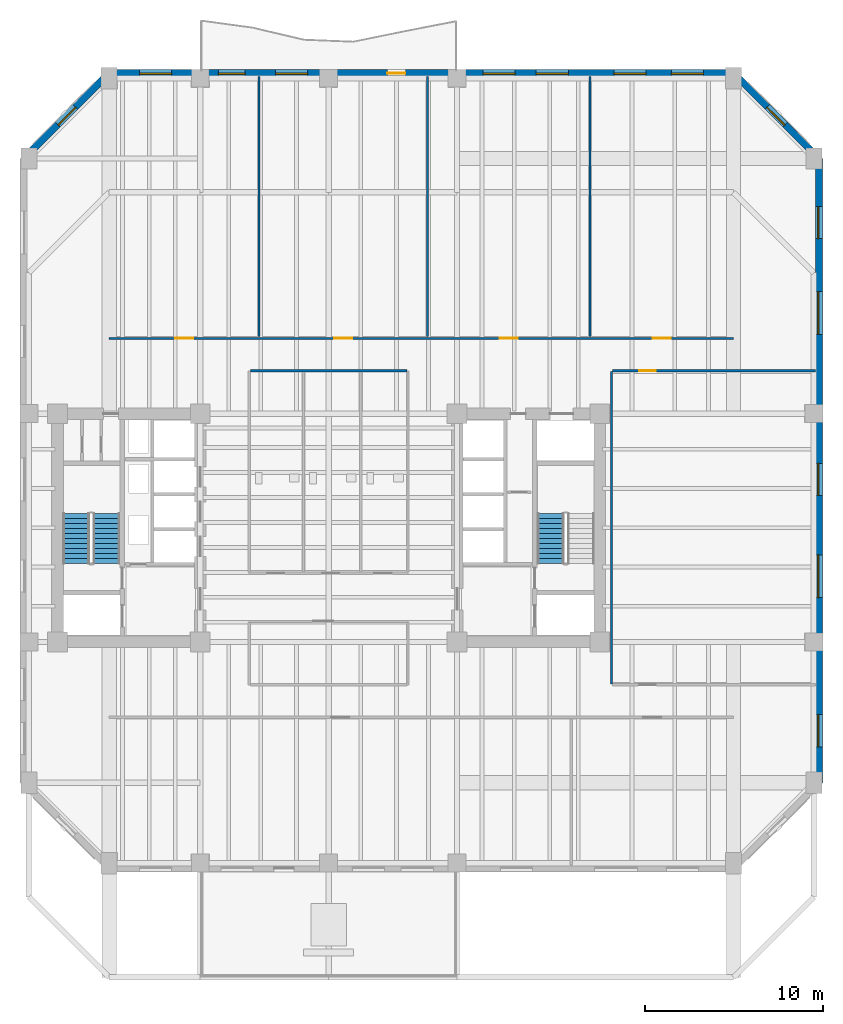
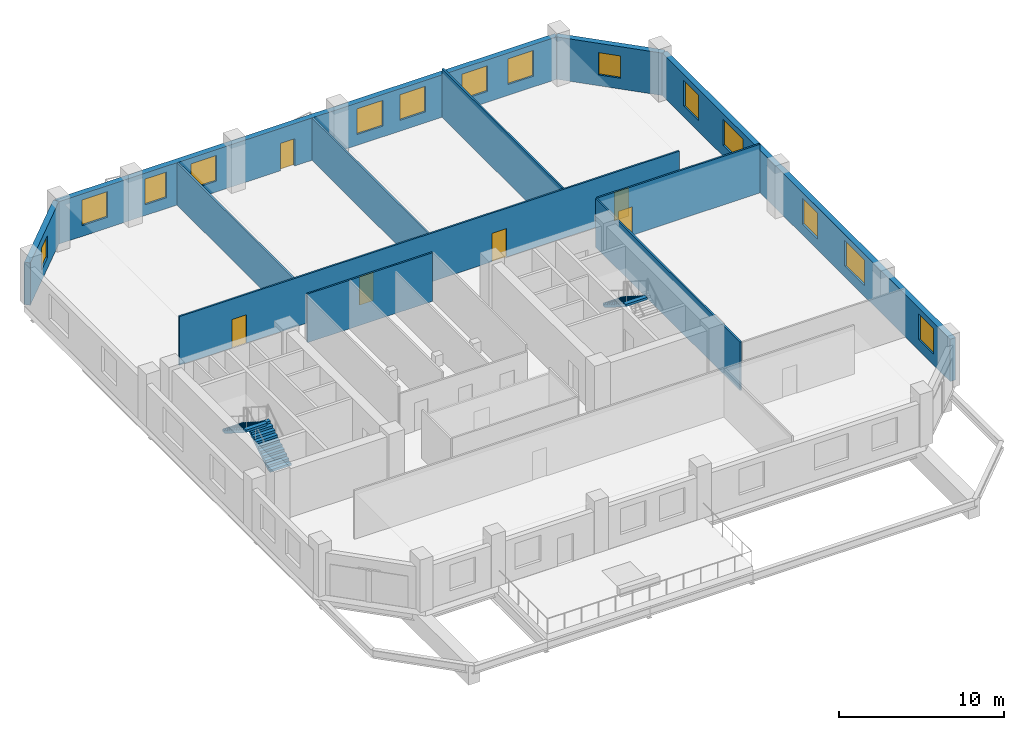
# One storey, part 5 of 10: 14 windows, 11 walls, 6 doors, 3 stair flights, 20 openings, 2 elements without a shape of their own.
"""IFC4 building model written with IfcOpenShell, lengths in metres."""

from ifc_helpers import new_model, si_unit, direction, frame, frame_2d, origin, place, context, subcontext, project, spatial, polyline, rectangle, outline, extrude, material, layer, layer_set, type_object, element, fill, aggregate, save


model = new_model("IFC4")

# Units and contexts
model_context = context("Model", 3, precision=1e-05, world=origin(), true_north=direction((0.0, 1.0)))
body_context = subcontext(model_context, "Body", "Model", "MODEL_VIEW")
ifc_project = project(units=[si_unit("LENGTHUNIT", "METRE"), si_unit("AREAUNIT", "SQUARE_METRE"), si_unit("VOLUMEUNIT", "CUBIC_METRE"), si_unit("PLANEANGLEUNIT", "RADIAN"), si_unit("MASSUNIT", "GRAM", prefix="KILO")], contexts=[model_context])

# Site, building, storey
site_placement = place(None, origin())
site = spatial("IfcSite", under=ifc_project, at=site_placement, CompositionType="ELEMENT")
building_placement = place(site_placement, origin())
building = spatial("IfcBuilding", under=site, at=building_placement, Name="Kranthara Brick Stack", CompositionType="ELEMENT")
storey_placement = place(building_placement, frame((0.0, 0.0, 71.10009765625)))
storey = spatial("IfcBuildingStorey", under=building, at=storey_placement, Name="L17", CompositionType="ELEMENT", Elevation=71.10009765625)

# Wall, opening, window
ifc_material_1 = material(Name="Kiln-fired clay brick masonry M15", Category="masonry")
ifc_layer_1 = layer(ifc_material_1, 0.3798828125)
ifc_layer_set_1 = layer_set([ifc_layer_1], Name="Kiln-fired clay brick masonry M15")
wall_type_1 = type_object("IfcWallType", Name="WL-BRK-PIER-380", PredefinedType="STANDARD", material=ifc_layer_set_1)
wall_1_placement = place(storey_placement, frame((10.909912109375, 47.89990234375, 0.0), z_axis=(0.0, 0.0, 1.0), x_axis=(0.707106781187, 0.707106781187, 0.0)))
wall_1 = element("IfcWall", 1, at=wall_1_placement, inside=storey, type_object=wall_type_1, Name="L17 Exterior Brick Facade Wall NW 1", PredefinedType="STANDARD", context=body_context, shape_type="SweptSolid", body=[
    extrude(rectangle(XDim=6.774169921875, YDim=0.3798828125, at=frame_2d((3.38720703125, 0.0))), origin(), (0.0, 0.0, 1.0), 3.135009765625),
])
opening_1_placement = place(wall_1_placement, frame((2.68701171875, 0.0, 0.800048828125)))
opening_1 = element("IfcOpeningElement", 2, at=opening_1_placement, cuts=wall_1, Name="Opening WN10", PredefinedType="OPENING", context=body_context, shape_type="SweptSolid", body=[
    extrude(rectangle(XDim=1.39990234375, YDim=1.64990234375, at=frame_2d((0.699951171875, 0.824951171875))), frame((0.0, 0.199951171875, 0.0), z_axis=(0.0, -1.0, 0.0), x_axis=(1.0, 0.0, 0.0)), (0.0, 0.0, 1.0), 0.39990234375),
])
ifc_material_2 = material(Name="Double-glazed low-E solar control glass", Category="glass")
window_type_1 = type_object("IfcWindowType", Name="WN-CHM-1400x1750", PartitioningType="SINGLE_PANEL", PredefinedType="WINDOW", material=ifc_material_2)
window_1_placement = place(opening_1_placement, origin())
window_1 = element("IfcWindow", 3, at=window_1_placement, inside=storey, type_object=window_type_1, Name="L17 NW Chamfer Corner Window", OverallHeight=1.64990234375, OverallWidth=1.39990234375, PartitioningType="SINGLE_PANEL", PredefinedType="WINDOW", context=body_context, shape_type="SweptSolid", body=[
    extrude(rectangle(XDim=1.39990234375, YDim=1.64990234375, at=frame_2d((0.699951171875, 0.824951171875))), frame((0.0, -0.010009765625, 0.0), z_axis=(0.0, -1.0, 0.0), x_axis=(1.0, 0.0, 0.0)), (0.0, 0.0, 1.0), 0.06005859375),
])
fill(opening_1, window_1)

# Wall, openings, door, windows
wall_2_placement = place(storey_placement, frame((15.699951171875, 52.68994140625, 0.0), z_axis=(0.0, 0.0, 1.0), x_axis=(1.0, 0.0, 0.0)))
wall_2 = element("IfcWall", 4, at=wall_2_placement, inside=storey, type_object=wall_type_1, Name="L17 Exterior Brick Facade Wall NORTH 1", PredefinedType="STANDARD", context=body_context, shape_type="SweptSolid", body=[
    extrude(rectangle(XDim=35.0, YDim=0.3798828125, at=frame_2d((17.5, 0.0))), origin(), (0.0, 0.0, 1.0), 3.135009765625),
])
opening_2_placement = place(wall_2_placement, frame((15.60009765625, 0.0, 0.0)))
opening_2 = element("IfcOpeningElement", 5, at=opening_2_placement, cuts=wall_2, Name="Opening D03", PredefinedType="OPENING", context=body_context, shape_type="SweptSolid", body=[
    extrude(rectangle(XDim=1.0, YDim=2.02001953125, at=frame_2d((0.5, 1.010009765625))), frame((0.0, 0.199951171875, 0.0), z_axis=(0.0, -1.0, 0.0), x_axis=(1.0, 0.0, 0.0)), (0.0, 0.0, 1.0), 0.39990234375),
])
opening_3_placement = place(wall_2_placement, frame((1.699951171875, 0.0, 0.800048828125)))
opening_3 = element("IfcOpeningElement", 6, at=opening_3_placement, cuts=wall_2, Name="Opening WN01", PredefinedType="OPENING", context=body_context, shape_type="SweptSolid", body=[
    extrude(rectangle(XDim=1.800048828125, YDim=1.89990234375, at=frame_2d((0.89990234375, 0.949951171875))), frame((0.0, 0.199951171875, 0.0), z_axis=(0.0, -1.0, 0.0), x_axis=(1.0, 0.0, 0.0)), (0.0, 0.0, 1.0), 0.39990234375),
])
opening_4_placement = place(wall_2_placement, frame((6.125, 0.0, 0.800048828125)))
opening_4 = element("IfcOpeningElement", 7, at=opening_4_placement, cuts=wall_2, Name="Opening WN03", PredefinedType="OPENING", context=body_context, shape_type="SweptSolid", body=[
    extrude(rectangle(XDim=1.5, YDim=1.89990234375, at=frame_2d((0.75, 0.949951171875))), frame((0.0, 0.199951171875, 0.0), z_axis=(0.0, -1.0, 0.0), x_axis=(1.0, 0.0, 0.0)), (0.0, 0.0, 1.0), 0.39990234375),
])
opening_5_placement = place(wall_2_placement, frame((9.324951171875, 0.0, 0.800048828125)))
opening_5 = element("IfcOpeningElement", 8, at=opening_5_placement, cuts=wall_2, Name="Opening WN01", PredefinedType="OPENING", context=body_context, shape_type="SweptSolid", body=[
    extrude(rectangle(XDim=1.800048828125, YDim=1.89990234375, at=frame_2d((0.89990234375, 0.949951171875))), frame((0.0, 0.199951171875, 0.0), z_axis=(0.0, -1.0, 0.0), x_axis=(1.0, 0.0, 0.0)), (0.0, 0.0, 1.0), 0.39990234375),
])
opening_6_placement = place(wall_2_placement, frame((20.9619140625, 0.0, 0.800048828125)))
opening_6 = element("IfcOpeningElement", 9, at=opening_6_placement, cuts=wall_2, Name="Opening WN01", PredefinedType="OPENING", context=body_context, shape_type="SweptSolid", body=[
    extrude(rectangle(XDim=1.800048828125, YDim=1.89990234375, at=frame_2d((0.89990234375, 0.949951171875))), frame((0.0, 0.199951171875, 0.0), z_axis=(0.0, -1.0, 0.0), x_axis=(1.0, 0.0, 0.0)), (0.0, 0.0, 1.0), 0.39990234375),
])
opening_7_placement = place(wall_2_placement, frame((23.93798828125, 0.0, 0.800048828125)))
opening_7 = element("IfcOpeningElement", 10, at=opening_7_placement, cuts=wall_2, Name="Opening WN01", PredefinedType="OPENING", context=body_context, shape_type="SweptSolid", body=[
    extrude(rectangle(XDim=1.800048828125, YDim=1.89990234375, at=frame_2d((0.89990234375, 0.949951171875))), frame((0.0, 0.199951171875, 0.0), z_axis=(0.0, -1.0, 0.0), x_axis=(1.0, 0.0, 0.0)), (0.0, 0.0, 1.0), 0.39990234375),
])
opening_8_placement = place(wall_2_placement, frame((28.2919921875, 0.0, 0.800048828125)))
opening_8 = element("IfcOpeningElement", 11, at=opening_8_placement, cuts=wall_2, Name="Opening WN01", PredefinedType="OPENING", context=body_context, shape_type="SweptSolid", body=[
    extrude(rectangle(XDim=1.800048828125, YDim=1.89990234375, at=frame_2d((0.89990234375, 0.949951171875))), frame((0.0, 0.199951171875, 0.0), z_axis=(0.0, -1.0, 0.0), x_axis=(1.0, 0.0, 0.0)), (0.0, 0.0, 1.0), 0.39990234375),
])
opening_9_placement = place(wall_2_placement, frame((31.508056640625, 0.0, 0.800048828125)))
opening_9 = element("IfcOpeningElement", 12, at=opening_9_placement, cuts=wall_2, Name="Opening WN01", PredefinedType="OPENING", context=body_context, shape_type="SweptSolid", body=[
    extrude(rectangle(XDim=1.800048828125, YDim=1.89990234375, at=frame_2d((0.89990234375, 0.949951171875))), frame((0.0, 0.199951171875, 0.0), z_axis=(0.0, -1.0, 0.0), x_axis=(1.0, 0.0, 0.0)), (0.0, 0.0, 1.0), 0.39990234375),
])
ifc_material_3 = material(Name="Bronze anodised aluminium and laminated glass", Category="aluminium")
door_type_1 = type_object("IfcDoorType", Name="DR-BALC-1000", OperationType="NOTDEFINED", PredefinedType="DOOR", material=ifc_material_3)
door_1_placement = place(opening_2_placement, origin())
door_1 = element("IfcDoor", 13, at=door_1_placement, inside=storey, type_object=door_type_1, Name="L17 North Balcony Terrace Door", OperationType="SINGLE_SWING_RIGHT", OverallHeight=2.02001953125, OverallWidth=1.0, PredefinedType="DOOR", context=body_context, shape_type="SweptSolid", body=[
    extrude(rectangle(XDim=1.0, YDim=2.02001953125, at=frame_2d((0.5, 1.010009765625))), frame((0.0, 0.02490234375, 0.0), z_axis=(0.0, -1.0, 0.0), x_axis=(1.0, 0.0, 0.0)), (0.0, 0.0, 1.0), 0.050048828125),
])
fill(opening_2, door_1)
ifc_material_4 = material(Name="Double-glazed low-E solar control glass", Category="glass")
window_type_2 = type_object("IfcWindowType", Name="WN-OFF-1500x2000", PartitioningType="SINGLE_PANEL", PredefinedType="WINDOW", material=ifc_material_4)
window_2_placement = place(opening_4_placement, origin())
window_2 = element("IfcWindow", 14, at=window_2_placement, inside=storey, type_object=window_type_2, Name="L17 North Deep-Set Brick Window 02", OverallHeight=1.89990234375, OverallWidth=1.5, PartitioningType="SINGLE_PANEL", PredefinedType="WINDOW", context=body_context, shape_type="SweptSolid", body=[
    extrude(rectangle(XDim=1.5, YDim=1.89990234375, at=frame_2d((0.75, 0.949951171875))), frame((0.0, -0.010009765625, 0.0), z_axis=(0.0, -1.0, 0.0), x_axis=(1.0, 0.0, 0.0)), (0.0, 0.0, 1.0), 0.06005859375),
])
fill(opening_4, window_2)
ifc_material_5 = material(Name="Double-glazed low-E solar control glass", Category="glass")
window_type_3 = type_object("IfcWindowType", Name="WN-OFF-1800x2000", PartitioningType="SINGLE_PANEL", PredefinedType="WINDOW", material=ifc_material_5)
window_3_placement = place(opening_3_placement, origin())
window_3 = element("IfcWindow", 15, at=window_3_placement, inside=storey, type_object=window_type_3, Name="L17 North Deep-Set Brick Window 01", OverallHeight=1.89990234375, OverallWidth=1.800048828125, PartitioningType="SINGLE_PANEL", PredefinedType="WINDOW", context=body_context, shape_type="SweptSolid", body=[
    extrude(rectangle(XDim=1.800048828125, YDim=1.89990234375, at=frame_2d((0.89990234375, 0.949951171875))), frame((0.0, -0.010009765625, 0.0), z_axis=(0.0, -1.0, 0.0), x_axis=(1.0, 0.0, 0.0)), (0.0, 0.0, 1.0), 0.06005859375),
])
fill(opening_3, window_3)
window_4_placement = place(opening_5_placement, origin())
window_4 = element("IfcWindow", 16, at=window_4_placement, inside=storey, type_object=window_type_3, Name="L17 North Deep-Set Brick Window 03", OverallHeight=1.89990234375, OverallWidth=1.800048828125, PartitioningType="SINGLE_PANEL", PredefinedType="WINDOW", context=body_context, shape_type="SweptSolid", body=[
    extrude(rectangle(XDim=1.800048828125, YDim=1.89990234375, at=frame_2d((0.89990234375, 0.949951171875))), frame((0.0, -0.010009765625, 0.0), z_axis=(0.0, -1.0, 0.0), x_axis=(1.0, 0.0, 0.0)), (0.0, 0.0, 1.0), 0.06005859375),
])
fill(opening_5, window_4)
window_5_placement = place(opening_6_placement, origin())
window_5 = element("IfcWindow", 17, at=window_5_placement, inside=storey, type_object=window_type_3, Name="L17 North Deep-Set Brick Window 04", OverallHeight=1.89990234375, OverallWidth=1.800048828125, PartitioningType="SINGLE_PANEL", PredefinedType="WINDOW", context=body_context, shape_type="SweptSolid", body=[
    extrude(rectangle(XDim=1.800048828125, YDim=1.89990234375, at=frame_2d((0.89990234375, 0.949951171875))), frame((0.0, -0.010009765625, 0.0), z_axis=(0.0, -1.0, 0.0), x_axis=(1.0, 0.0, 0.0)), (0.0, 0.0, 1.0), 0.06005859375),
])
fill(opening_6, window_5)
window_6_placement = place(opening_7_placement, origin())
window_6 = element("IfcWindow", 18, at=window_6_placement, inside=storey, type_object=window_type_3, Name="L17 North Deep-Set Brick Window 05", OverallHeight=1.89990234375, OverallWidth=1.800048828125, PartitioningType="SINGLE_PANEL", PredefinedType="WINDOW", context=body_context, shape_type="SweptSolid", body=[
    extrude(rectangle(XDim=1.800048828125, YDim=1.89990234375, at=frame_2d((0.89990234375, 0.949951171875))), frame((0.0, -0.010009765625, 0.0), z_axis=(0.0, -1.0, 0.0), x_axis=(1.0, 0.0, 0.0)), (0.0, 0.0, 1.0), 0.06005859375),
])
fill(opening_7, window_6)
window_7_placement = place(opening_8_placement, origin())
window_7 = element("IfcWindow", 19, at=window_7_placement, inside=storey, type_object=window_type_3, Name="L17 North Deep-Set Brick Window 06", OverallHeight=1.89990234375, OverallWidth=1.800048828125, PartitioningType="SINGLE_PANEL", PredefinedType="WINDOW", context=body_context, shape_type="SweptSolid", body=[
    extrude(rectangle(XDim=1.800048828125, YDim=1.89990234375, at=frame_2d((0.89990234375, 0.949951171875))), frame((0.0, -0.010009765625, 0.0), z_axis=(0.0, -1.0, 0.0), x_axis=(1.0, 0.0, 0.0)), (0.0, 0.0, 1.0), 0.06005859375),
])
fill(opening_8, window_7)
window_8_placement = place(opening_9_placement, origin())
window_8 = element("IfcWindow", 20, at=window_8_placement, inside=storey, type_object=window_type_3, Name="L17 North Deep-Set Brick Window 07", OverallHeight=1.89990234375, OverallWidth=1.800048828125, PartitioningType="SINGLE_PANEL", PredefinedType="WINDOW", context=body_context, shape_type="SweptSolid", body=[
    extrude(rectangle(XDim=1.800048828125, YDim=1.89990234375, at=frame_2d((0.89990234375, 0.949951171875))), frame((0.0, -0.010009765625, 0.0), z_axis=(0.0, -1.0, 0.0), x_axis=(1.0, 0.0, 0.0)), (0.0, 0.0, 1.0), 0.06005859375),
])
fill(opening_9, window_8)

# Wall, opening, window
wall_3_placement = place(storey_placement, frame((50.699951171875, 52.68994140625, 0.0), z_axis=(0.0, 0.0, 1.0), x_axis=(0.707106781187, -0.707106781187, 0.0)))
wall_3 = element("IfcWall", 21, at=wall_3_placement, inside=storey, type_object=wall_type_1, Name="L17 Exterior Brick Facade Wall NE 1", PredefinedType="STANDARD", context=body_context, shape_type="SweptSolid", body=[
    extrude(rectangle(XDim=6.774169921875, YDim=0.3798828125, at=frame_2d((3.38720703125, 0.0))), origin(), (0.0, 0.0, 1.0), 3.135009765625),
])
opening_10_placement = place(wall_3_placement, frame((2.68701171875, 0.0, 0.800048828125)))
opening_10 = element("IfcOpeningElement", 22, at=opening_10_placement, cuts=wall_3, Name="Opening WN10", PredefinedType="OPENING", context=body_context, shape_type="SweptSolid", body=[
    extrude(rectangle(XDim=1.39990234375, YDim=1.64990234375, at=frame_2d((0.699951171875, 0.824951171875))), frame((0.0, 0.199951171875, 0.0), z_axis=(0.0, -1.0, 0.0), x_axis=(1.0, 0.0, 0.0)), (0.0, 0.0, 1.0), 0.39990234375),
])
window_9_placement = place(opening_10_placement, origin())
window_9 = element("IfcWindow", 23, at=window_9_placement, inside=storey, type_object=window_type_1, Name="L17 NE Chamfer Corner Window", OverallHeight=1.64990234375, OverallWidth=1.39990234375, PartitioningType="SINGLE_PANEL", PredefinedType="WINDOW", context=body_context, shape_type="SweptSolid", body=[
    extrude(rectangle(XDim=1.39990234375, YDim=1.64990234375, at=frame_2d((0.699951171875, 0.824951171875))), frame((0.0, -0.010009765625, 0.0), z_axis=(0.0, -1.0, 0.0), x_axis=(1.0, 0.0, 0.0)), (0.0, 0.0, 1.0), 0.06005859375),
])
fill(opening_10, window_9)

# Wall, openings, windows
wall_4_placement = place(storey_placement, frame((55.489990234375, 47.89990234375, 0.0), z_axis=(0.0, 0.0, 1.0), x_axis=(0.0, -1.0, 0.0)))
wall_4 = element("IfcWall", 24, at=wall_4_placement, inside=storey, type_object=wall_type_1, Name="L17 Exterior Brick Facade Wall EAST 1", PredefinedType="STANDARD", context=body_context, shape_type="SweptSolid", body=[
    extrude(rectangle(XDim=35.0, YDim=0.3798828125, at=frame_2d((17.5, 0.0))), origin(), (0.0, 0.0, 1.0), 3.135009765625),
])
opening_11_placement = place(wall_4_placement, frame((2.693115234375, 0.0, 0.800048828125)))
opening_11 = element("IfcOpeningElement", 25, at=opening_11_placement, cuts=wall_4, Name="Opening WN01", PredefinedType="OPENING", context=body_context, shape_type="SweptSolid", body=[
    extrude(rectangle(XDim=1.800048828125, YDim=1.89990234375, at=frame_2d((0.89990234375, 0.949951171875))), frame((0.0, 0.199951171875, 0.0), z_axis=(0.0, -1.0, 0.0), x_axis=(1.0, 0.0, 0.0)), (0.0, 0.0, 1.0), 0.39990234375),
])
opening_12_placement = place(wall_4_placement, frame((7.45703125, 0.0, 0.800048828125)))
opening_12 = element("IfcOpeningElement", 26, at=opening_12_placement, cuts=wall_4, Name="Opening WN02", PredefinedType="OPENING", context=body_context, shape_type="SweptSolid", body=[
    extrude(rectangle(XDim=2.39990234375, YDim=1.89990234375, at=frame_2d((1.199951171875, 0.949951171875))), frame((0.0, 0.199951171875, 0.0), z_axis=(0.0, -1.0, 0.0), x_axis=(1.0, 0.0, 0.0)), (0.0, 0.0, 1.0), 0.39990234375),
])
opening_13_placement = place(wall_4_placement, frame((17.087890625, 0.0, 0.800048828125)))
opening_13 = element("IfcOpeningElement", 27, at=opening_13_placement, cuts=wall_4, Name="Opening WN01", PredefinedType="OPENING", context=body_context, shape_type="SweptSolid", body=[
    extrude(rectangle(XDim=1.800048828125, YDim=1.89990234375, at=frame_2d((0.89990234375, 0.949951171875))), frame((0.0, 0.199951171875, 0.0), z_axis=(0.0, -1.0, 0.0), x_axis=(1.0, 0.0, 0.0)), (0.0, 0.0, 1.0), 0.39990234375),
])
opening_14_placement = place(wall_4_placement, frame((22.2119140625, 0.0, 0.800048828125)))
opening_14 = element("IfcOpeningElement", 28, at=opening_14_placement, cuts=wall_4, Name="Opening WN02", PredefinedType="OPENING", context=body_context, shape_type="SweptSolid", body=[
    extrude(rectangle(XDim=2.39990234375, YDim=1.89990234375, at=frame_2d((1.199951171875, 0.949951171875))), frame((0.0, 0.199951171875, 0.0), z_axis=(0.0, -1.0, 0.0), x_axis=(1.0, 0.0, 0.0)), (0.0, 0.0, 1.0), 0.39990234375),
])
opening_15_placement = place(wall_4_placement, frame((31.175048828125, 0.0, 0.800048828125)))
opening_15 = element("IfcOpeningElement", 29, at=opening_15_placement, cuts=wall_4, Name="Opening WN01", PredefinedType="OPENING", context=body_context, shape_type="SweptSolid", body=[
    extrude(rectangle(XDim=1.800048828125, YDim=1.89990234375, at=frame_2d((0.89990234375, 0.949951171875))), frame((0.0, 0.199951171875, 0.0), z_axis=(0.0, -1.0, 0.0), x_axis=(1.0, 0.0, 0.0)), (0.0, 0.0, 1.0), 0.39990234375),
])
window_10_placement = place(opening_11_placement, origin())
window_10 = element("IfcWindow", 30, at=window_10_placement, inside=storey, type_object=window_type_3, Name="L17 East Deep-Set Brick Window 01", OverallHeight=1.89990234375, OverallWidth=1.800048828125, PartitioningType="SINGLE_PANEL", PredefinedType="WINDOW", context=body_context, shape_type="SweptSolid", body=[
    extrude(rectangle(XDim=1.800048828125, YDim=1.89990234375, at=frame_2d((0.89990234375, 0.949951171875))), frame((0.0, -0.010009765625, 0.0), z_axis=(0.0, -1.0, 0.0), x_axis=(1.0, 0.0, 0.0)), (0.0, 0.0, 1.0), 0.06005859375),
])
fill(opening_11, window_10)
window_11_placement = place(opening_13_placement, origin())
window_11 = element("IfcWindow", 31, at=window_11_placement, inside=storey, type_object=window_type_3, Name="L17 East Deep-Set Brick Window 03", OverallHeight=1.89990234375, OverallWidth=1.800048828125, PartitioningType="SINGLE_PANEL", PredefinedType="WINDOW", context=body_context, shape_type="SweptSolid", body=[
    extrude(rectangle(XDim=1.800048828125, YDim=1.89990234375, at=frame_2d((0.89990234375, 0.949951171875))), frame((0.0, -0.010009765625, 0.0), z_axis=(0.0, -1.0, 0.0), x_axis=(1.0, 0.0, 0.0)), (0.0, 0.0, 1.0), 0.06005859375),
])
fill(opening_13, window_11)
window_12_placement = place(opening_15_placement, origin())
window_12 = element("IfcWindow", 32, at=window_12_placement, inside=storey, type_object=window_type_3, Name="L17 East Deep-Set Brick Window 05", OverallHeight=1.89990234375, OverallWidth=1.800048828125, PartitioningType="SINGLE_PANEL", PredefinedType="WINDOW", context=body_context, shape_type="SweptSolid", body=[
    extrude(rectangle(XDim=1.800048828125, YDim=1.89990234375, at=frame_2d((0.89990234375, 0.949951171875))), frame((0.0, -0.010009765625, 0.0), z_axis=(0.0, -1.0, 0.0), x_axis=(1.0, 0.0, 0.0)), (0.0, 0.0, 1.0), 0.06005859375),
])
fill(opening_15, window_12)
ifc_material_6 = material(Name="Double-glazed low-E solar control glass", Category="glass")
window_type_4 = type_object("IfcWindowType", Name="WN-OFF-2400x2000", PartitioningType="DOUBLE_PANEL_VERTICAL", PredefinedType="WINDOW", material=ifc_material_6)
window_13_placement = place(opening_12_placement, origin())
window_13 = element("IfcWindow", 33, at=window_13_placement, inside=storey, type_object=window_type_4, Name="L17 East Deep-Set Brick Window 02", OverallHeight=1.89990234375, OverallWidth=2.39990234375, PartitioningType="SINGLE_PANEL", PredefinedType="WINDOW", context=body_context, shape_type="SweptSolid", body=[
    extrude(rectangle(XDim=2.39990234375, YDim=1.89990234375, at=frame_2d((1.199951171875, 0.949951171875))), frame((0.0, -0.010009765625, 0.0), z_axis=(0.0, -1.0, 0.0), x_axis=(1.0, 0.0, 0.0)), (0.0, 0.0, 1.0), 0.06005859375),
])
fill(opening_12, window_13)
window_14_placement = place(opening_14_placement, origin())
window_14 = element("IfcWindow", 34, at=window_14_placement, inside=storey, type_object=window_type_4, Name="L17 East Deep-Set Brick Window 04", OverallHeight=1.89990234375, OverallWidth=2.39990234375, PartitioningType="SINGLE_PANEL", PredefinedType="WINDOW", context=body_context, shape_type="SweptSolid", body=[
    extrude(rectangle(XDim=2.39990234375, YDim=1.89990234375, at=frame_2d((1.199951171875, 0.949951171875))), frame((0.0, -0.010009765625, 0.0), z_axis=(0.0, -1.0, 0.0), x_axis=(1.0, 0.0, 0.0)), (0.0, 0.0, 1.0), 0.06005859375),
])
fill(opening_14, window_14)

# Wall
ifc_material_7 = material(Name="Acoustic gypsum plasterboard partition", Category="other")
ifc_layer_2 = layer(ifc_material_7, 0.1201171875)
ifc_layer_set_2 = layer_set([ifc_layer_2], Name="Acoustic gypsum plasterboard partition")
wall_type_2 = type_object("IfcWallType", Name="WL-PART-120", PredefinedType="PARTITIONING", material=ifc_layer_set_2)
wall_5_placement = place(storey_placement, frame((23.614990234375, 36.0, 0.0), z_axis=(0.0, 0.0, 1.0), x_axis=(1.0, 0.0, 0.0)))
element("IfcWall", 35, at=wall_5_placement, inside=storey, type_object=wall_type_2, Name="L17 Interior Partition 009", PredefinedType="PARTITIONING", context=body_context, shape_type="SweptSolid", body=[
    extrude(rectangle(XDim=8.77001953125, YDim=0.1201171875, at=frame_2d((4.385009765625, 0.0))), origin(), (0.0, 0.0, 1.0), 3.599853515625),
])

# Wall, openings, doors
wall_6_placement = place(storey_placement, frame((15.699951171875, 37.820068359375, 0.0), z_axis=(0.0, 0.0, 1.0), x_axis=(1.0, 0.0, 0.0)))
wall_6 = element("IfcWall", 36, at=wall_6_placement, inside=storey, type_object=wall_type_2, Name="L17 Interior Partition 016", PredefinedType="PARTITIONING", context=body_context, shape_type="SweptSolid", body=[
    extrude(rectangle(XDim=35.0, YDim=0.1201171875, at=frame_2d((17.5, 0.0))), origin(), (0.0, 0.0, 1.0), 3.599853515625),
])
opening_16_placement = place(wall_6_placement, frame((3.699951171875, 0.0, 0.0)))
opening_16 = element("IfcOpeningElement", 37, at=opening_16_placement, cuts=wall_6, Name="Opening D13", PredefinedType="OPENING", context=body_context, shape_type="SweptSolid", body=[
    extrude(rectangle(XDim=1.0, YDim=2.10009765625, at=frame_2d((0.5, 1.050048828125))), frame((0.0, 0.070068359375, 0.0), z_axis=(0.0, -1.0, 0.0), x_axis=(1.0, 0.0, 0.0)), (0.0, 0.0, 1.0), 0.14013671875),
])
opening_17_placement = place(wall_6_placement, frame((12.625, 0.0, 0.0)))
opening_17 = element("IfcOpeningElement", 38, at=opening_17_placement, cuts=wall_6, Name="Opening D13", PredefinedType="OPENING", context=body_context, shape_type="SweptSolid", body=[
    extrude(rectangle(XDim=1.0, YDim=2.10009765625, at=frame_2d((0.5, 1.050048828125))), frame((0.0, 0.070068359375, 0.0), z_axis=(0.0, -1.0, 0.0), x_axis=(1.0, 0.0, 0.0)), (0.0, 0.0, 1.0), 0.14013671875),
])
opening_18_placement = place(wall_6_placement, frame((21.89990234375, 0.0, 0.0)))
opening_18 = element("IfcOpeningElement", 39, at=opening_18_placement, cuts=wall_6, Name="Opening D13", PredefinedType="OPENING", context=body_context, shape_type="SweptSolid", body=[
    extrude(rectangle(XDim=1.0, YDim=2.10009765625, at=frame_2d((0.5, 1.050048828125))), frame((0.0, 0.070068359375, 0.0), z_axis=(0.0, -1.0, 0.0), x_axis=(1.0, 0.0, 0.0)), (0.0, 0.0, 1.0), 0.14013671875),
])
opening_19_placement = place(wall_6_placement, frame((30.47509765625, 0.0, 0.0)))
opening_19 = element("IfcOpeningElement", 40, at=opening_19_placement, cuts=wall_6, Name="Opening D13", PredefinedType="OPENING", context=body_context, shape_type="SweptSolid", body=[
    extrude(rectangle(XDim=1.0, YDim=2.10009765625, at=frame_2d((0.5, 1.050048828125))), frame((0.0, 0.070068359375, 0.0), z_axis=(0.0, -1.0, 0.0), x_axis=(1.0, 0.0, 0.0)), (0.0, 0.0, 1.0), 0.14013671875),
])
ifc_material_8 = material(Name="Solid-core hardwood timber leaf in steel frame", Category="steel")
door_type_2 = type_object("IfcDoorType", Name="DR-INT-1000", OperationType="NOTDEFINED", PredefinedType="DOOR", material=ifc_material_8)
door_2_placement = place(opening_16_placement, origin())
door_2 = element("IfcDoor", 41, at=door_2_placement, inside=storey, type_object=door_type_2, Name="L17 Executive Cellular Office 10", OperationType="SINGLE_SWING_RIGHT", OverallHeight=2.10009765625, OverallWidth=1.0, PredefinedType="DOOR", context=body_context, shape_type="SweptSolid", body=[
    extrude(rectangle(XDim=1.0, YDim=2.10009765625, at=frame_2d((0.5, 1.050048828125))), frame((0.0, 0.02490234375, 0.0), z_axis=(0.0, -1.0, 0.0), x_axis=(1.0, 0.0, 0.0)), (0.0, 0.0, 1.0), 0.050048828125),
])
fill(opening_16, door_2)
door_3_placement = place(opening_17_placement, origin())
door_3 = element("IfcDoor", 42, at=door_3_placement, inside=storey, type_object=door_type_2, Name="L17 Meeting Room 11", OperationType="SINGLE_SWING_LEFT", OverallHeight=2.10009765625, OverallWidth=1.0, PredefinedType="DOOR", context=body_context, shape_type="SweptSolid", body=[
    extrude(rectangle(XDim=1.0, YDim=2.10009765625, at=frame_2d((0.5, 1.050048828125))), frame((0.0, 0.02490234375, 0.0), z_axis=(0.0, -1.0, 0.0), x_axis=(1.0, 0.0, 0.0)), (0.0, 0.0, 1.0), 0.050048828125),
])
fill(opening_17, door_3)
door_4_placement = place(opening_18_placement, origin())
door_4 = element("IfcDoor", 43, at=door_4_placement, inside=storey, type_object=door_type_2, Name="L17 Boardroom 12", OperationType="SINGLE_SWING_RIGHT", OverallHeight=2.10009765625, OverallWidth=1.0, PredefinedType="DOOR", context=body_context, shape_type="SweptSolid", body=[
    extrude(rectangle(XDim=1.0, YDim=2.10009765625, at=frame_2d((0.5, 1.050048828125))), frame((0.0, 0.02490234375, 0.0), z_axis=(0.0, -1.0, 0.0), x_axis=(1.0, 0.0, 0.0)), (0.0, 0.0, 1.0), 0.050048828125),
])
fill(opening_18, door_4)
door_5_placement = place(opening_19_placement, origin())
door_5 = element("IfcDoor", 44, at=door_5_placement, inside=storey, type_object=door_type_2, Name="L17 Collaboration Lounge 13", OperationType="SINGLE_SWING_LEFT", OverallHeight=2.10009765625, OverallWidth=1.0, PredefinedType="DOOR", context=body_context, shape_type="SweptSolid", body=[
    extrude(rectangle(XDim=1.0, YDim=2.10009765625, at=frame_2d((0.5, 1.050048828125))), frame((0.0, 0.02490234375, 0.0), z_axis=(0.0, -1.0, 0.0), x_axis=(1.0, 0.0, 0.0)), (0.0, 0.0, 1.0), 0.050048828125),
])
fill(opening_19, door_5)

# Walls
for number, where, z_axis, x_axis, name in (
    (45, (24.10009765625, 37.919921875, 0.0), (0.0, 0.0, 1.0), (0.0, 1.0, 0.0), "L17 Interior Partition 017"),
    (46, (33.550048828125, 37.919921875, 0.0), (0.0, 0.0, 1.0), (0.0, 1.0, 0.0), "L17 Interior Partition 018"),
):
    element("IfcWall", number, at=place(storey_placement, frame(where, z_axis=z_axis, x_axis=x_axis)), inside=storey, type_object=wall_type_2, Name=name, PredefinedType="PARTITIONING", context=body_context, shape_type="SweptSolid", body=[
        extrude(rectangle(XDim=14.5751953125, YDim=0.1201171875, at=frame_2d((7.28759765625, 0.0))), origin(), (0.0, 0.0, 1.0), 3.135009765625),
    ])
wall_7_placement = place(storey_placement, frame((42.64990234375, 37.919921875, 0.0), z_axis=(0.0, 0.0, 1.0), x_axis=(0.0, 1.0, 0.0)))
element("IfcWall", 47, at=wall_7_placement, inside=storey, type_object=wall_type_2, Name="L17 Interior Partition 019", PredefinedType="PARTITIONING", context=body_context, shape_type="SweptSolid", body=[
    extrude(rectangle(XDim=14.5751953125, YDim=0.1201171875, at=frame_2d((7.28759765625, 0.0))), origin(), (0.0, 0.0, 1.0), 3.599853515625),
])
wall_8_placement = place(storey_placement, frame((43.85009765625, 18.449951171875, 0.0), z_axis=(0.0, 0.0, 1.0), x_axis=(0.0, 1.0, 0.0)))
element("IfcWall", 48, at=wall_8_placement, inside=storey, type_object=wall_type_2, Name="L17 Interior Partition 020", PredefinedType="PARTITIONING", context=body_context, shape_type="SweptSolid", body=[
    extrude(rectangle(XDim=17.5, YDim=0.1201171875, at=frame_2d((8.75, 0.0))), origin(), (0.0, 0.0, 1.0), 3.599853515625),
])

# Wall, opening, door
wall_9_placement = place(storey_placement, frame((43.9150390625, 36.0, 0.0), z_axis=(0.0, 0.0, 1.0), x_axis=(1.0, 0.0, 0.0)))
wall_9 = element("IfcWall", 49, at=wall_9_placement, inside=storey, type_object=wall_type_2, Name="L17 Interior Partition 022", PredefinedType="PARTITIONING", context=body_context, shape_type="SweptSolid", body=[
    extrude(rectangle(XDim=11.3798828125, YDim=0.1201171875, at=frame_2d((5.68994140625, 0.0))), origin(), (0.0, 0.0, 1.0), 3.599853515625),
])
opening_20_placement = place(wall_9_placement, frame((1.485107421875, 0.0, 0.0)))
opening_20 = element("IfcOpeningElement", 50, at=opening_20_placement, cuts=wall_9, Name="Opening D14", PredefinedType="OPENING", context=body_context, shape_type="SweptSolid", body=[
    extrude(rectangle(XDim=0.949951171875, YDim=2.10009765625, at=frame_2d((0.47509765625, 1.050048828125))), frame((0.0, 0.070068359375, 0.0), z_axis=(0.0, -1.0, 0.0), x_axis=(1.0, 0.0, 0.0)), (0.0, 0.0, 1.0), 0.14013671875),
])
ifc_material_9 = material(Name="Solid-core hardwood timber leaf in steel frame", Category="steel")
door_type_3 = type_object("IfcDoorType", Name="DR-INT-950", OperationType="NOTDEFINED", PredefinedType="DOOR", material=ifc_material_9)
door_6_placement = place(opening_20_placement, origin())
door_6 = element("IfcDoor", 51, at=door_6_placement, inside=storey, type_object=door_type_3, Name="L17 East North Office 15", OperationType="SINGLE_SWING_LEFT", OverallHeight=2.10009765625, OverallWidth=0.949951171875, PredefinedType="DOOR", context=body_context, shape_type="SweptSolid", body=[
    extrude(rectangle(XDim=0.949951171875, YDim=2.10009765625, at=frame_2d((0.47509765625, 1.050048828125))), frame((0.0, 0.02490234375, 0.0), z_axis=(0.0, -1.0, 0.0), x_axis=(1.0, 0.0, 0.0)), (0.0, 0.0, 1.0), 0.050048828125),
])
fill(opening_20, door_6)

# Stair, stair flights
ifc_material_10 = material(Name="Concrete C45/55", Category="concrete")
stair_type = type_object("IfcStairType", Name="ST-CORE-22R", PredefinedType="HALF_TURN_STAIR", material=ifc_material_10)
stair_1_placement = place(storey_placement, origin())
stair_1 = element("IfcStair", 52, at=stair_1_placement, inside=storey, type_object=stair_type, Name="L17 West Core Protected Exit Stair ST01", PredefinedType="HALF_TURN_STAIR")
ifc_material_11 = material(Name="Concrete C45/55", Category="concrete")
stair_flight_type = type_object("IfcStairFlightType", Name="SFL-RC-22R", PredefinedType="STRAIGHT", material=ifc_material_11)
stair_flight_1_placement = place(storey_placement, frame((15.550048828125, 25.199951171875, 0.0), z_axis=(0.0, 0.0, 1.0), x_axis=(0.0, 1.0, 0.0)))
stair_flight_1 = element("IfcStairFlight", 53, at=stair_flight_1_placement, type_object=stair_flight_type, Name="ST01 flight 1", NumberOfRisers=11, NumberOfTreads=10, PredefinedType="STRAIGHT", RiserHeight=0.177272727, TreadLength=0.28, context=body_context, shape_type="SweptSolid", body=[
    extrude(outline(polyline([(0.0, 0.0), (0.0, 0.17724609375), (0.280029296875, 0.17724609375), (0.280029296875, 0.3544921875), (0.56005859375, 0.3544921875), (0.56005859375, 0.53173828125), (0.840087890625, 0.53173828125), (0.840087890625, 0.708984375), (1.1201171875, 0.708984375), (1.1201171875, 0.886474609375), (1.39990234375, 0.886474609375), (1.39990234375, 1.063720703125), (1.679931640625, 1.063720703125), (1.679931640625, 1.240966796875), (1.9599609375, 1.240966796875), (1.9599609375, 1.418212890625), (2.239990234375, 1.418212890625), (2.239990234375, 1.595458984375), (2.52001953125, 1.595458984375), (2.52001953125, 1.772705078125), (2.800048828125, 1.772705078125), (2.800048828125, 1.949951171875), (2.800048828125, 1.59521484375), (0.2802734375, 0.0), (0.0, 0.0)])), frame((0.0, 0.75, 0.0), z_axis=(0.0, -1.0, 0.0), x_axis=(1.0, 0.0, 0.0)), (0.0, 0.0, 1.0), 1.5),
])
stair_flight_2_placement = place(storey_placement, frame((13.85009765625, 28.0, 1.949951171875), z_axis=(0.0, 0.0, 1.0), x_axis=(0.0, -1.0, 0.0)))
stair_flight_2 = element("IfcStairFlight", 54, at=stair_flight_2_placement, type_object=stair_flight_type, Name="ST01 flight 2", NumberOfRisers=11, NumberOfTreads=10, PredefinedType="STRAIGHT", RiserHeight=0.177272727, TreadLength=0.28, context=body_context, shape_type="SweptSolid", body=[
    extrude(outline(polyline([(0.0, 0.0), (0.0, 0.17724609375), (0.280029296875, 0.17724609375), (0.280029296875, 0.3544921875), (0.56005859375, 0.3544921875), (0.56005859375, 0.53173828125), (0.840087890625, 0.53173828125), (0.840087890625, 0.708984375), (1.1201171875, 0.708984375), (1.1201171875, 0.886474609375), (1.39990234375, 0.886474609375), (1.39990234375, 1.063720703125), (1.679931640625, 1.063720703125), (1.679931640625, 1.240966796875), (1.9599609375, 1.240966796875), (1.9599609375, 1.418212890625), (2.239990234375, 1.418212890625), (2.239990234375, 1.595458984375), (2.52001953125, 1.595458984375), (2.52001953125, 1.772705078125), (2.800048828125, 1.772705078125), (2.800048828125, 1.949951171875), (2.800048828125, 1.59521484375), (0.2802734375, 0.0), (0.0, 0.0)])), frame((0.0, 0.75, 0.0), z_axis=(0.0, -1.0, 0.0), x_axis=(1.0, 0.0, 0.0)), (0.0, 0.0, 1.0), 1.5),
])
aggregate(stair_1, [stair_flight_1, stair_flight_2])

# Stair, stair flight
stair_2_placement = place(storey_placement, origin())
stair_2 = element("IfcStair", 55, at=stair_2_placement, inside=storey, type_object=stair_type, Name="L17 East Core Protected Exit Stair ST02", PredefinedType="HALF_TURN_STAIR")
stair_flight_3_placement = place(storey_placement, frame((40.449951171875, 28.0, 1.949951171875), z_axis=(0.0, 0.0, 1.0), x_axis=(0.0, -1.0, 0.0)))
stair_flight_3 = element("IfcStairFlight", 56, at=stair_flight_3_placement, type_object=stair_flight_type, Name="ST02 flight 2", NumberOfRisers=11, NumberOfTreads=10, PredefinedType="STRAIGHT", RiserHeight=0.177272727, TreadLength=0.28, context=body_context, shape_type="SweptSolid", body=[
    extrude(outline(polyline([(0.0, 0.0), (0.0, 0.17724609375), (0.280029296875, 0.17724609375), (0.280029296875, 0.3544921875), (0.56005859375, 0.3544921875), (0.56005859375, 0.53173828125), (0.840087890625, 0.53173828125), (0.840087890625, 0.708984375), (1.1201171875, 0.708984375), (1.1201171875, 0.886474609375), (1.39990234375, 0.886474609375), (1.39990234375, 1.063720703125), (1.679931640625, 1.063720703125), (1.679931640625, 1.240966796875), (1.9599609375, 1.240966796875), (1.9599609375, 1.418212890625), (2.239990234375, 1.418212890625), (2.239990234375, 1.595458984375), (2.52001953125, 1.595458984375), (2.52001953125, 1.772705078125), (2.800048828125, 1.772705078125), (2.800048828125, 1.949951171875), (2.800048828125, 1.59521484375), (0.2802734375, 0.0), (0.0, 0.0)])), frame((0.0, 0.75, 0.0), z_axis=(0.0, -1.0, 0.0), x_axis=(1.0, 0.0, 0.0)), (0.0, 0.0, 1.0), 1.5),
])
aggregate(stair_2, [stair_flight_3])

save(model, "model.ifc")
